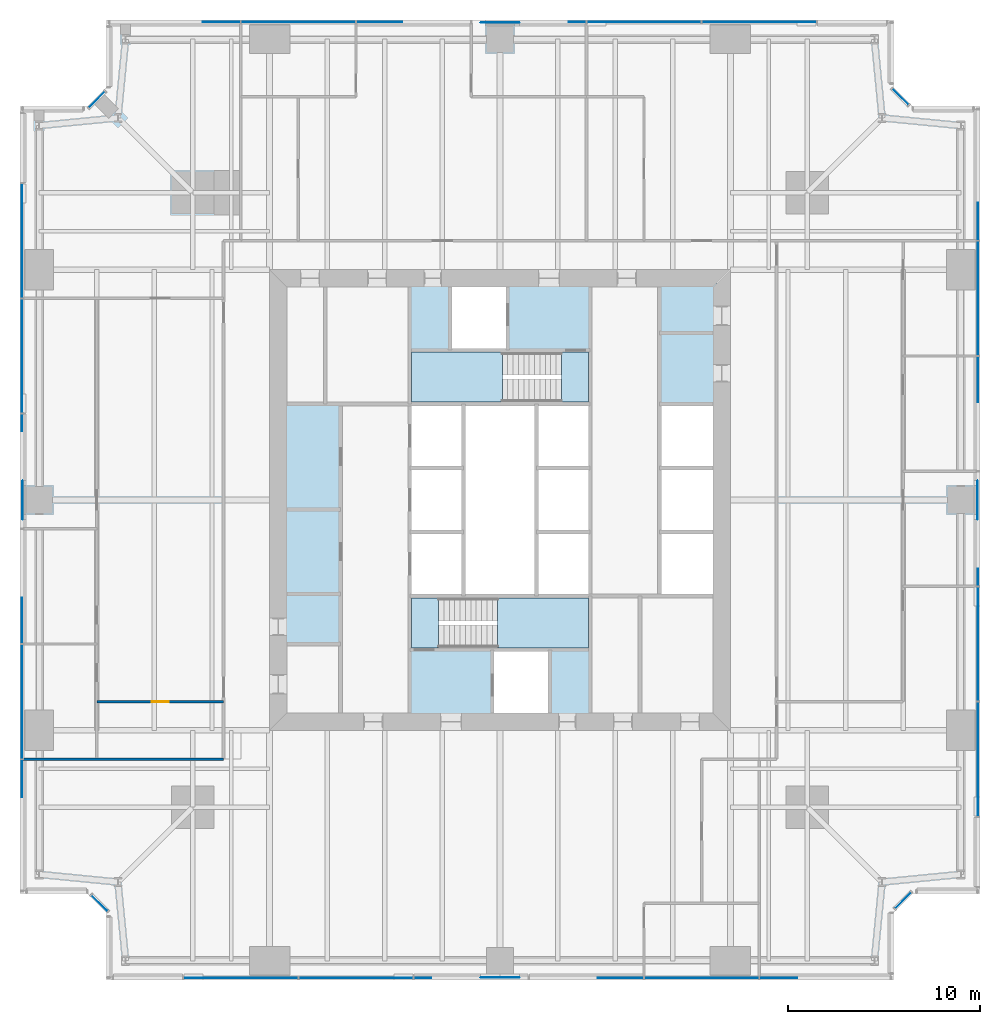
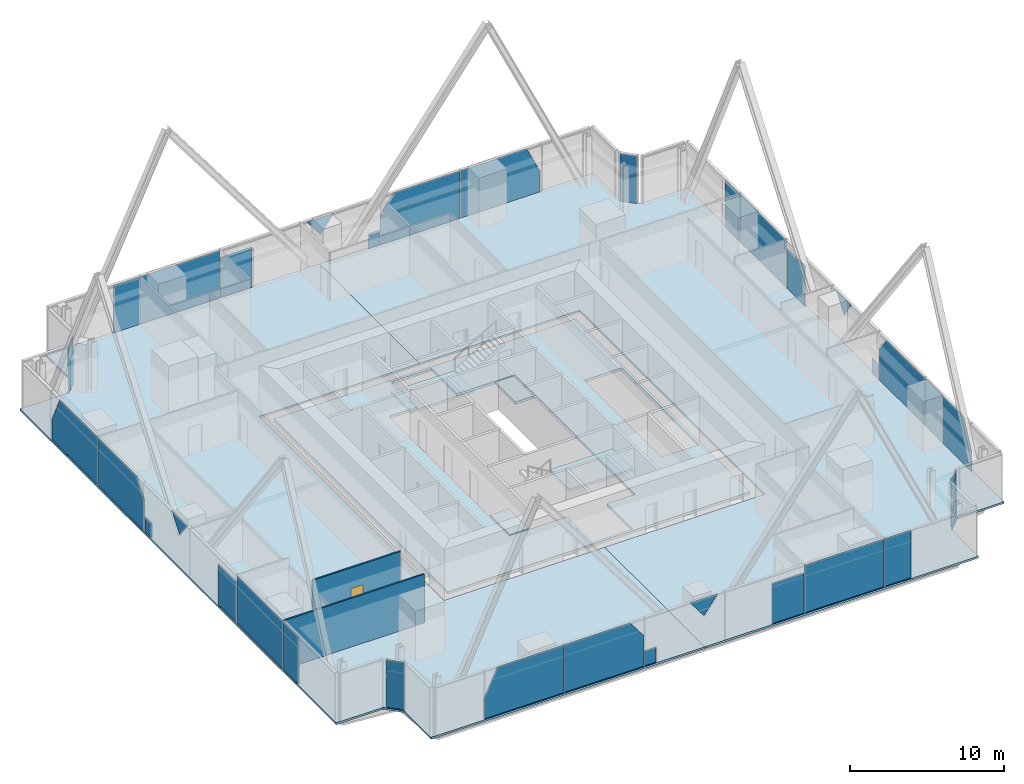
# One storey, part 8 of 13: 32 plates, 7 slabs, 2 walls, 1 door, 1 opening, 10 elements without a shape of their own.
"""IFC4 building model written with IfcOpenShell, lengths in metres."""

from ifc_helpers import new_model, si_unit, direction, frame, frame_2d, origin, origin_2d, place, context, subcontext, project, spatial, polyline, rectangle, outline, extrude, material, layer, layer_set, type_object, element, fill, aggregate, save


model = new_model("IFC4")

# Units and contexts
model_context = context("Model", 3, precision=1e-05, world=origin(), true_north=direction((0.0, 1.0)))
body_context = subcontext(model_context, "Body", "Model", "MODEL_VIEW")
ifc_project = project(units=[si_unit("LENGTHUNIT", "METRE"), si_unit("AREAUNIT", "SQUARE_METRE"), si_unit("VOLUMEUNIT", "CUBIC_METRE"), si_unit("PLANEANGLEUNIT", "RADIAN"), si_unit("MASSUNIT", "GRAM", prefix="KILO")], contexts=[model_context])

# Site, building, storey
site_placement = place(None, origin())
site = spatial("IfcSite", under=ifc_project, at=site_placement, CompositionType="ELEMENT")
building_placement = place(site_placement, origin())
building = spatial("IfcBuilding", under=site, at=building_placement, Name="Fenwick Lantern Interchange", CompositionType="ELEMENT")
storey_placement = place(building_placement, frame((0.0, 0.0, 114.39990234375)))
storey = spatial("IfcBuildingStorey", under=building, at=storey_placement, Name="L26", CompositionType="ELEMENT", Elevation=114.39990234375)

# Slabs
ifc_material_1 = material(Name="Concrete f'c 35 MPa", Category="concrete")
ifc_layer_1 = layer(ifc_material_1, 0.199951171875)
ifc_layer_set_1 = layer_set([ifc_layer_1], Name="CORE FLOOR SLAB 200")
slab_type_1 = type_object("IfcSlabType", Name="CORE FLOOR SLAB 200", PredefinedType="FLOOR", material=ifc_layer_set_1)
slab_1_placement = place(storey_placement, frame((0.0, 0.0, -0.199951171875)))
element("IfcSlab", 1, at=slab_1_placement, inside=storey, type_object=slab_type_1, Name="L26/SLAB/CORE", PredefinedType="FLOOR", context=body_context, shape_type="SweptSolid", body=[
    extrude(outline(polyline([(13.699951171875, 36.300048828125), (36.300048828125, 36.300048828125), (36.300048828125, 13.699951171875), (13.699951171875, 13.699951171875), (13.699951171875, 36.300048828125)]), holes=[polyline([(29.699951171875, 17.199951171875), (29.699951171875, 20.0), (29.699951171875, 23.333251953125), (29.699951171875, 26.666748046875), (29.699951171875, 30.0), (29.699951171875, 32.800048828125), (25.39990234375, 32.800048828125), (25.39990234375, 36.10009765625), (22.39990234375, 36.10009765625), (22.39990234375, 32.800048828125), (20.300048828125, 32.800048828125), (20.300048828125, 30.0), (20.300048828125, 26.666748046875), (20.300048828125, 23.333251953125), (20.300048828125, 20.0), (20.300048828125, 17.199951171875), (24.60009765625, 17.199951171875), (24.60009765625, 13.89990234375), (27.60009765625, 13.89990234375), (27.60009765625, 17.199951171875), (29.699951171875, 17.199951171875)]), polyline([(33.300048828125, 23.333251953125), (33.300048828125, 20.0), (36.10009765625, 20.0), (36.10009765625, 23.333251953125), (36.10009765625, 26.666748046875), (36.10009765625, 30.0), (33.300048828125, 30.0), (33.300048828125, 26.666748046875), (33.300048828125, 23.333251953125)])]), origin(), (0.0, 0.0, 1.0), 0.199951171875),
])
ifc_material_2 = material(Name="Concrete f'c 35 MPa", Category="concrete")
ifc_layer_2 = layer(ifc_material_2, 0.14990234375)
ifc_layer_set_2 = layer_set([ifc_layer_2], Name="Concrete f'c 35 MPa")
slab_type_2 = type_object("IfcSlabType", Name="FLOOR SLAB 150", PredefinedType="FLOOR", material=ifc_layer_set_2)
slab_2_placement = place(storey_placement, frame((0.0, 0.0, -0.14990234375)))
element("IfcSlab", 2, at=slab_2_placement, inside=storey, type_object=slab_type_2, Name="L26/SLAB/FW", PredefinedType="FLOOR", context=body_context, shape_type="SweptSolid", body=[
    extrude(outline(polyline([(4.5, 0.0), (4.5, 3.5), (3.5, 4.5), (0.0, 4.5), (0.0, 45.5), (3.5, 45.5), (4.5, 46.5), (4.5, 50.0), (25.0, 50.0), (25.0, 37.0), (13.0, 37.0), (13.0, 13.0), (25.0, 13.0), (25.0, 0.0), (4.5, 0.0)])), origin(), (0.0, 0.0, 1.0), 0.14990234375),
])
slab_3_placement = place(storey_placement, frame((0.0, 0.0, -0.14990234375)))
element("IfcSlab", 3, at=slab_3_placement, inside=storey, type_object=slab_type_2, Name="L26/SLAB/FE", PredefinedType="FLOOR", context=body_context, shape_type="SweptSolid", body=[
    extrude(outline(polyline([(45.5, 50.0), (45.5, 46.5), (46.5, 45.5), (50.0, 45.5), (50.0, 4.5), (46.5, 4.5), (45.5, 3.5), (45.5, 0.0), (25.0, 0.0), (25.0, 13.0), (37.0, 13.0), (37.0, 37.0), (25.0, 37.0), (25.0, 50.0), (45.5, 50.0)])), origin(), (0.0, 0.0, 1.0), 0.14990234375),
])

# Curtain wall, plates
ifc_material_3 = material(Name="Aluminium curtain wall frame", Category="aluminium")
curtain_wall_type = type_object("IfcCurtainWallType", Name="OFFICE CURTAIN WALL", PredefinedType="USERDEFINED", material=ifc_material_3)
curtain_wall_1_placement = place(storey_placement, origin())
curtain_wall_1 = element("IfcCurtainWall", 4, at=curtain_wall_1_placement, inside=storey, type_object=curtain_wall_type, Name="Office curtain wall 01", ObjectType="OFFICE CURTAIN WALL", PredefinedType="USERDEFINED")
ifc_material_4 = material(Name="Vision glass, clear low-iron double glazed", Category="glass")
ifc_layer_3 = layer(ifc_material_4, 0.031982421875)
ifc_layer_set_3 = layer_set([ifc_layer_3], Name="OFFICE CURTAIN WALL PANEL 32")
plate_type = type_object("IfcPlateType", Name="OFFICE CURTAIN WALL PANEL 32", PredefinedType="CURTAIN_PANEL", material=ifc_layer_set_3)
plate_1_placement = place(storey_placement, frame((4.60009765625, 0.10009765625, 0.0), z_axis=(0.0, 0.0, 1.0), x_axis=(1.0, 0.0, 0.0)))
plate_1 = element("IfcPlate", 5, at=plate_1_placement, type_object=plate_type, Name="L26/CW/01/P01a", PredefinedType="CURTAIN_PANEL", context=body_context, shape_type="SweptSolid", body=[
    extrude(outline(polyline([(3.9326171875, 0.0), (9.867431640625, 0.0), (9.867431640625, 3.75), (4.929931640625, 3.75), (3.9326171875, 1.62255859375), (3.9326171875, 0.0)])), frame((0.0, 0.01611328125, 0.0), z_axis=(0.0, -1.0, 0.0), x_axis=(1.0, 0.0, 0.0)), (0.0, 0.0, 1.0), 0.031982421875),
])
plate_2_placement = place(storey_placement, frame((4.60009765625, 0.10009765625, 0.0), z_axis=(0.0, 0.0, 1.0), x_axis=(1.0, 0.0, 0.0)))
plate_2 = element("IfcPlate", 6, at=plate_2_placement, type_object=plate_type, Name="L26/CW/01/P02a", PredefinedType="CURTAIN_PANEL", context=body_context, shape_type="SweptSolid", body=[
    extrude(outline(polyline([(9.9326171875, 0.0), (15.867431640625, 0.0), (15.867431640625, 2.4375), (14.883056640625, 3.75), (9.9326171875, 3.75), (9.9326171875, 0.0)])), frame((0.0, 0.01611328125, 0.0), z_axis=(0.0, -1.0, 0.0), x_axis=(1.0, 0.0, 0.0)), (0.0, 0.0, 1.0), 0.031982421875),
])
plate_3_placement = place(storey_placement, frame((4.60009765625, 0.10009765625, 0.0), z_axis=(0.0, 0.0, 1.0), x_axis=(1.0, 0.0, 0.0)))
plate_3 = element("IfcPlate", 7, at=plate_3_placement, type_object=plate_type, Name="L26/CW/01/P03a", PredefinedType="CURTAIN_PANEL", context=body_context, shape_type="SweptSolid", body=[
    extrude(outline(polyline([(15.9326171875, 0.0), (16.8125, 0.0), (16.8125, 1.177490234375), (15.9326171875, 1.177490234375), (15.9326171875, 0.0)])), frame((0.0, 0.01611328125, 0.0), z_axis=(0.0, -1.0, 0.0), x_axis=(1.0, 0.0, 0.0)), (0.0, 0.0, 1.0), 0.031982421875),
])
plate_4_placement = place(storey_placement, frame((4.60009765625, 0.10009765625, 2.39404296875), z_axis=(0.0, 0.0, 1.0), x_axis=(1.0, 0.0, 0.0)))
plate_4 = element("IfcPlate", 8, at=plate_4_placement, type_object=plate_type, Name="L26/CW/01/P03b", PredefinedType="CURTAIN_PANEL", context=body_context, shape_type="SweptSolid", body=[
    extrude(outline(polyline([(20.39990234375, 0.0), (21.4169921875, 1.35595703125), (19.383056640625, 1.35595703125), (20.39990234375, 0.0)])), frame((0.0, 0.0498046875, 0.0), z_axis=(0.0, -1.0, 0.0), x_axis=(1.0, 0.0, 0.0)), (0.0, 0.0, 1.0), 0.031982421875),
])
plate_5_placement = place(storey_placement, frame((4.60009765625, 0.10009765625, 0.0), z_axis=(0.0, 0.0, 1.0), x_axis=(1.0, 0.0, 0.0)))
plate_5 = element("IfcPlate", 9, at=plate_5_placement, type_object=plate_type, Name="L26/CW/01/P04a", PredefinedType="CURTAIN_PANEL", context=body_context, shape_type="SweptSolid", body=[
    extrude(outline(polyline([(25.484619140625, 0.0), (27.867431640625, 0.0), (27.867431640625, 3.17333984375), (25.484619140625, 3.17333984375), (25.484619140625, 0.0)])), frame((0.0, 0.01611328125, 0.0), z_axis=(0.0, -1.0, 0.0), x_axis=(1.0, 0.0, 0.0)), (0.0, 0.0, 1.0), 0.031982421875),
])
plate_6_placement = place(storey_placement, frame((35.5, 0.10009765625, 0.0), z_axis=(0.0, 0.0, 1.0), x_axis=(1.0, 0.0, 0.0)))
plate_6 = element("IfcPlate", 10, at=plate_6_placement, type_object=plate_type, Name="L26/CW/01/P05", PredefinedType="CURTAIN_PANEL", context=body_context, shape_type="SweptSolid", body=[
    extrude(rectangle(XDim=5.93505859375, YDim=0.031982421875, at=origin_2d()), origin(), (0.0, 0.0, 1.0), 3.75),
])
plate_7_placement = place(storey_placement, frame((4.60009765625, 0.10009765625, 0.0), z_axis=(0.0, 0.0, 1.0), x_axis=(1.0, 0.0, 0.0)))
plate_7 = element("IfcPlate", 11, at=plate_7_placement, type_object=plate_type, Name="L26/CW/01/P06a", PredefinedType="CURTAIN_PANEL", context=body_context, shape_type="SweptSolid", body=[
    extrude(outline(polyline([(33.9326171875, 0.0), (35.87255859375, 0.0), (35.87255859375, 3.7451171875), (33.9326171875, 3.7451171875), (33.9326171875, 0.0)])), frame((0.0, 0.01611328125, 0.0), z_axis=(0.0, -1.0, 0.0), x_axis=(1.0, 0.0, 0.0)), (0.0, 0.0, 1.0), 0.031982421875),
])
aggregate(curtain_wall_1, [plate_1, plate_2, plate_3, plate_4, plate_5, plate_6, plate_7])

# Curtain wall, plate
curtain_wall_2_placement = place(storey_placement, origin())
curtain_wall_2 = element("IfcCurtainWall", 12, at=curtain_wall_2_placement, inside=storey, type_object=curtain_wall_type, Name="Office curtain wall 03", ObjectType="OFFICE CURTAIN WALL", PredefinedType="USERDEFINED")
plate_8_placement = place(storey_placement, frame((46.0, 4.141357421875, 0.0), z_axis=(0.0, 0.0, 1.0), x_axis=(0.707106781187, 0.707106781187, 0.0)))
plate_8 = element("IfcPlate", 13, at=plate_8_placement, type_object=plate_type, Name="L26/CW/03/P00", PredefinedType="CURTAIN_PANEL", context=body_context, shape_type="SweptSolid", body=[
    extrude(rectangle(XDim=1.1669921875, YDim=0.031982421875, at=origin_2d()), origin(), (0.0, 0.0, 1.0), 3.75),
])
aggregate(curtain_wall_2, [plate_8])

# Curtain wall, plates
curtain_wall_3_placement = place(storey_placement, origin())
curtain_wall_3 = element("IfcCurtainWall", 14, at=curtain_wall_3_placement, inside=storey, type_object=curtain_wall_type, Name="Office curtain wall 05", ObjectType="OFFICE CURTAIN WALL", PredefinedType="USERDEFINED")
plate_9_placement = place(storey_placement, frame((49.89990234375, 4.60009765625, 0.0), z_axis=(0.0, 0.0, 1.0), x_axis=(0.0, 1.0, 0.0)))
plate_9 = element("IfcPlate", 15, at=plate_9_placement, type_object=plate_type, Name="L26/CW/05/P01a", PredefinedType="CURTAIN_PANEL", context=body_context, shape_type="SweptSolid", body=[
    extrude(outline(polyline([(3.9326171875, 0.0), (9.867431640625, 0.0), (9.867431640625, 3.75), (4.929931640625, 3.75), (3.9326171875, 1.62255859375), (3.9326171875, 0.0)])), frame((0.0, 0.01611328125, 0.0), z_axis=(0.0, -1.0, 0.0), x_axis=(1.0, 0.0, 0.0)), (0.0, 0.0, 1.0), 0.031982421875),
])
plate_10_placement = place(storey_placement, frame((49.89990234375, 4.60009765625, 0.0), z_axis=(0.0, 0.0, 1.0), x_axis=(0.0, 1.0, 0.0)))
plate_10 = element("IfcPlate", 16, at=plate_10_placement, type_object=plate_type, Name="L26/CW/05/P02a", PredefinedType="CURTAIN_PANEL", context=body_context, shape_type="SweptSolid", body=[
    extrude(outline(polyline([(9.9326171875, 0.0), (15.867431640625, 0.0), (15.867431640625, 2.4375), (14.883056640625, 3.75), (9.9326171875, 3.75), (9.9326171875, 0.0)])), frame((0.0, 0.01611328125, 0.0), z_axis=(0.0, -1.0, 0.0), x_axis=(1.0, 0.0, 0.0)), (0.0, 0.0, 1.0), 0.031982421875),
])
plate_11_placement = place(storey_placement, frame((49.89990234375, 4.60009765625, 0.0), z_axis=(0.0, 0.0, 1.0), x_axis=(0.0, 1.0, 0.0)))
plate_11 = element("IfcPlate", 17, at=plate_11_placement, type_object=plate_type, Name="L26/CW/05/P03a", PredefinedType="CURTAIN_PANEL", context=body_context, shape_type="SweptSolid", body=[
    extrude(outline(polyline([(15.9326171875, 0.0), (16.8125, 0.0), (16.8125, 1.177490234375), (15.9326171875, 1.177490234375), (15.9326171875, 0.0)])), frame((0.0, 0.01611328125, 0.0), z_axis=(0.0, -1.0, 0.0), x_axis=(1.0, 0.0, 0.0)), (0.0, 0.0, 1.0), 0.031982421875),
])
plate_12_placement = place(storey_placement, frame((49.89990234375, 4.60009765625, 2.39404296875), z_axis=(0.0, 0.0, 1.0), x_axis=(0.0, 1.0, 0.0)))
plate_12 = element("IfcPlate", 18, at=plate_12_placement, type_object=plate_type, Name="L26/CW/05/P03b", PredefinedType="CURTAIN_PANEL", context=body_context, shape_type="SweptSolid", body=[
    extrude(outline(polyline([(20.39990234375, 0.0), (21.4169921875, 1.35595703125), (19.383056640625, 1.35595703125), (20.39990234375, 0.0)])), frame((0.0, 0.0498046875, 0.0), z_axis=(0.0, -1.0, 0.0), x_axis=(1.0, 0.0, 0.0)), (0.0, 0.0, 1.0), 0.031982421875),
])
plate_13_placement = place(storey_placement, frame((49.89990234375, 4.60009765625, 0.0), z_axis=(0.0, 0.0, 1.0), x_axis=(0.0, 1.0, 0.0)))
plate_13 = element("IfcPlate", 19, at=plate_13_placement, type_object=plate_type, Name="L26/CW/05/P04a", PredefinedType="CURTAIN_PANEL", context=body_context, shape_type="SweptSolid", body=[
    extrude(outline(polyline([(25.484619140625, 0.0), (27.867431640625, 0.0), (27.867431640625, 3.17333984375), (25.484619140625, 3.17333984375), (25.484619140625, 0.0)])), frame((0.0, 0.01611328125, 0.0), z_axis=(0.0, -1.0, 0.0), x_axis=(1.0, 0.0, 0.0)), (0.0, 0.0, 1.0), 0.031982421875),
])
plate_14_placement = place(storey_placement, frame((49.89990234375, 35.5, 0.0), z_axis=(0.0, 0.0, 1.0), x_axis=(0.0, 1.0, 0.0)))
plate_14 = element("IfcPlate", 20, at=plate_14_placement, type_object=plate_type, Name="L26/CW/05/P05", PredefinedType="CURTAIN_PANEL", context=body_context, shape_type="SweptSolid", body=[
    extrude(rectangle(XDim=5.93505859375, YDim=0.031982421875, at=origin_2d()), origin(), (0.0, 0.0, 1.0), 3.75),
])
plate_15_placement = place(storey_placement, frame((49.89990234375, 4.60009765625, 0.0), z_axis=(0.0, 0.0, 1.0), x_axis=(0.0, 1.0, 0.0)))
plate_15 = element("IfcPlate", 21, at=plate_15_placement, type_object=plate_type, Name="L26/CW/05/P06a", PredefinedType="CURTAIN_PANEL", context=body_context, shape_type="SweptSolid", body=[
    extrude(outline(polyline([(33.9326171875, 0.0), (35.87255859375, 0.0), (35.87255859375, 3.7451171875), (33.9326171875, 3.7451171875), (33.9326171875, 0.0)])), frame((0.0, 0.01611328125, 0.0), z_axis=(0.0, -1.0, 0.0), x_axis=(1.0, 0.0, 0.0)), (0.0, 0.0, 1.0), 0.031982421875),
])
aggregate(curtain_wall_3, [plate_9, plate_10, plate_11, plate_12, plate_13, plate_14, plate_15])

# Curtain wall, plate
curtain_wall_4_placement = place(storey_placement, origin())
curtain_wall_4 = element("IfcCurtainWall", 22, at=curtain_wall_4_placement, inside=storey, type_object=curtain_wall_type, Name="Office curtain wall 07", ObjectType="OFFICE CURTAIN WALL", PredefinedType="USERDEFINED")
plate_16_placement = place(storey_placement, frame((45.858642578125, 46.0, 0.0), z_axis=(0.0, 0.0, 1.0), x_axis=(-0.707106781187, 0.707106781187, 0.0)))
plate_16 = element("IfcPlate", 23, at=plate_16_placement, type_object=plate_type, Name="L26/CW/07/P00", PredefinedType="CURTAIN_PANEL", context=body_context, shape_type="SweptSolid", body=[
    extrude(rectangle(XDim=1.1669921875, YDim=0.031982421875, at=origin_2d()), origin(), (0.0, 0.0, 1.0), 3.75),
])
aggregate(curtain_wall_4, [plate_16])

# Curtain wall, plates
curtain_wall_5_placement = place(storey_placement, origin())
curtain_wall_5 = element("IfcCurtainWall", 24, at=curtain_wall_5_placement, inside=storey, type_object=curtain_wall_type, Name="Office curtain wall 09", ObjectType="OFFICE CURTAIN WALL", PredefinedType="USERDEFINED")
plate_17_placement = place(storey_placement, frame((45.39990234375, 49.89990234375, 0.0), z_axis=(0.0, 0.0, 1.0), x_axis=(-1.0, 0.0, 0.0)))
plate_17 = element("IfcPlate", 25, at=plate_17_placement, type_object=plate_type, Name="L26/CW/09/P01a", PredefinedType="CURTAIN_PANEL", context=body_context, shape_type="SweptSolid", body=[
    extrude(outline(polyline([(3.9326171875, 0.0), (9.867431640625, 0.0), (9.867431640625, 3.75), (4.929931640625, 3.75), (3.9326171875, 1.62255859375), (3.9326171875, 0.0)])), frame((0.0, 0.01611328125, 0.0), z_axis=(0.0, -1.0, 0.0), x_axis=(1.0, 0.0, 0.0)), (0.0, 0.0, 1.0), 0.031982421875),
])
plate_18_placement = place(storey_placement, frame((45.39990234375, 49.89990234375, 0.0), z_axis=(0.0, 0.0, 1.0), x_axis=(-1.0, 0.0, 0.0)))
plate_18 = element("IfcPlate", 26, at=plate_18_placement, type_object=plate_type, Name="L26/CW/09/P02a", PredefinedType="CURTAIN_PANEL", context=body_context, shape_type="SweptSolid", body=[
    extrude(outline(polyline([(9.9326171875, 0.0), (15.867431640625, 0.0), (15.867431640625, 2.4375), (14.883056640625, 3.75), (9.9326171875, 3.75), (9.9326171875, 0.0)])), frame((0.0, 0.01611328125, 0.0), z_axis=(0.0, -1.0, 0.0), x_axis=(1.0, 0.0, 0.0)), (0.0, 0.0, 1.0), 0.031982421875),
])
plate_19_placement = place(storey_placement, frame((45.39990234375, 49.89990234375, 0.0), z_axis=(0.0, 0.0, 1.0), x_axis=(-1.0, 0.0, 0.0)))
plate_19 = element("IfcPlate", 27, at=plate_19_placement, type_object=plate_type, Name="L26/CW/09/P03a", PredefinedType="CURTAIN_PANEL", context=body_context, shape_type="SweptSolid", body=[
    extrude(outline(polyline([(15.9326171875, 0.0), (16.8125, 0.0), (16.8125, 1.177490234375), (15.9326171875, 1.177490234375), (15.9326171875, 0.0)])), frame((0.0, 0.01611328125, 0.0), z_axis=(0.0, -1.0, 0.0), x_axis=(1.0, 0.0, 0.0)), (0.0, 0.0, 1.0), 0.031982421875),
])
plate_20_placement = place(storey_placement, frame((45.39990234375, 49.89990234375, 2.39404296875), z_axis=(0.0, 0.0, 1.0), x_axis=(-1.0, 0.0, 0.0)))
plate_20 = element("IfcPlate", 28, at=plate_20_placement, type_object=plate_type, Name="L26/CW/09/P03b", PredefinedType="CURTAIN_PANEL", context=body_context, shape_type="SweptSolid", body=[
    extrude(outline(polyline([(20.39990234375, 0.0), (21.4169921875, 1.35595703125), (19.383056640625, 1.35595703125), (20.39990234375, 0.0)])), frame((0.0, 0.0498046875, 0.0), z_axis=(0.0, -1.0, 0.0), x_axis=(1.0, 0.0, 0.0)), (0.0, 0.0, 1.0), 0.031982421875),
])
plate_21_placement = place(storey_placement, frame((45.39990234375, 49.89990234375, 0.0), z_axis=(0.0, 0.0, 1.0), x_axis=(-1.0, 0.0, 0.0)))
plate_21 = element("IfcPlate", 29, at=plate_21_placement, type_object=plate_type, Name="L26/CW/09/P04a", PredefinedType="CURTAIN_PANEL", context=body_context, shape_type="SweptSolid", body=[
    extrude(outline(polyline([(25.484619140625, 0.0), (27.867431640625, 0.0), (27.867431640625, 3.17333984375), (25.484619140625, 3.17333984375), (25.484619140625, 0.0)])), frame((0.0, 0.01611328125, 0.0), z_axis=(0.0, -1.0, 0.0), x_axis=(1.0, 0.0, 0.0)), (0.0, 0.0, 1.0), 0.031982421875),
])
plate_22_placement = place(storey_placement, frame((14.5, 49.89990234375, 0.0), z_axis=(0.0, 0.0, 1.0), x_axis=(-1.0, 0.0, 0.0)))
plate_22 = element("IfcPlate", 30, at=plate_22_placement, type_object=plate_type, Name="L26/CW/09/P05", PredefinedType="CURTAIN_PANEL", context=body_context, shape_type="SweptSolid", body=[
    extrude(rectangle(XDim=5.93505859375, YDim=0.031982421875, at=origin_2d()), origin(), (0.0, 0.0, 1.0), 3.75),
])
plate_23_placement = place(storey_placement, frame((45.39990234375, 49.89990234375, 0.0), z_axis=(0.0, 0.0, 1.0), x_axis=(-1.0, 0.0, 0.0)))
plate_23 = element("IfcPlate", 31, at=plate_23_placement, type_object=plate_type, Name="L26/CW/09/P06a", PredefinedType="CURTAIN_PANEL", context=body_context, shape_type="SweptSolid", body=[
    extrude(outline(polyline([(33.9326171875, 0.0), (35.87255859375, 0.0), (35.87255859375, 3.7451171875), (33.9326171875, 3.7451171875), (33.9326171875, 0.0)])), frame((0.0, 0.01611328125, 0.0), z_axis=(0.0, -1.0, 0.0), x_axis=(1.0, 0.0, 0.0)), (0.0, 0.0, 1.0), 0.031982421875),
])
aggregate(curtain_wall_5, [plate_17, plate_18, plate_19, plate_20, plate_21, plate_22, plate_23])

# Curtain wall, plate
curtain_wall_6_placement = place(storey_placement, origin())
curtain_wall_6 = element("IfcCurtainWall", 32, at=curtain_wall_6_placement, inside=storey, type_object=curtain_wall_type, Name="Office curtain wall 11", ObjectType="OFFICE CURTAIN WALL", PredefinedType="USERDEFINED")
plate_24_placement = place(storey_placement, frame((4.0, 45.858642578125, 0.0), z_axis=(0.0, 0.0, 1.0), x_axis=(-0.707106781187, -0.707106781187, 0.0)))
plate_24 = element("IfcPlate", 33, at=plate_24_placement, type_object=plate_type, Name="L26/CW/11/P00", PredefinedType="CURTAIN_PANEL", context=body_context, shape_type="SweptSolid", body=[
    extrude(rectangle(XDim=1.1669921875, YDim=0.031982421875, at=origin_2d()), origin(), (0.0, 0.0, 1.0), 3.75),
])
aggregate(curtain_wall_6, [plate_24])

# Curtain wall, plates
curtain_wall_7_placement = place(storey_placement, origin())
curtain_wall_7 = element("IfcCurtainWall", 34, at=curtain_wall_7_placement, inside=storey, type_object=curtain_wall_type, Name="Office curtain wall 13", ObjectType="OFFICE CURTAIN WALL", PredefinedType="USERDEFINED")
plate_25_placement = place(storey_placement, frame((0.10009765625, 45.39990234375, 0.0), z_axis=(0.0, 0.0, 1.0), x_axis=(0.0, -1.0, 0.0)))
plate_25 = element("IfcPlate", 35, at=plate_25_placement, type_object=plate_type, Name="L26/CW/13/P01a", PredefinedType="CURTAIN_PANEL", context=body_context, shape_type="SweptSolid", body=[
    extrude(outline(polyline([(3.9326171875, 0.0), (9.867431640625, 0.0), (9.867431640625, 3.75), (4.929931640625, 3.75), (3.9326171875, 1.62255859375), (3.9326171875, 0.0)])), frame((0.0, 0.01611328125, 0.0), z_axis=(0.0, -1.0, 0.0), x_axis=(1.0, 0.0, 0.0)), (0.0, 0.0, 1.0), 0.031982421875),
])
plate_26_placement = place(storey_placement, frame((0.10009765625, 45.39990234375, 0.0), z_axis=(0.0, 0.0, 1.0), x_axis=(0.0, -1.0, 0.0)))
plate_26 = element("IfcPlate", 36, at=plate_26_placement, type_object=plate_type, Name="L26/CW/13/P02a", PredefinedType="CURTAIN_PANEL", context=body_context, shape_type="SweptSolid", body=[
    extrude(outline(polyline([(9.9326171875, 0.0), (15.867431640625, 0.0), (15.867431640625, 2.4375), (14.883056640625, 3.75), (9.9326171875, 3.75), (9.9326171875, 0.0)])), frame((0.0, 0.01611328125, 0.0), z_axis=(0.0, -1.0, 0.0), x_axis=(1.0, 0.0, 0.0)), (0.0, 0.0, 1.0), 0.031982421875),
])
plate_27_placement = place(storey_placement, frame((0.10009765625, 45.39990234375, 0.0), z_axis=(0.0, 0.0, 1.0), x_axis=(0.0, -1.0, 0.0)))
plate_27 = element("IfcPlate", 37, at=plate_27_placement, type_object=plate_type, Name="L26/CW/13/P03a", PredefinedType="CURTAIN_PANEL", context=body_context, shape_type="SweptSolid", body=[
    extrude(outline(polyline([(15.9326171875, 0.0), (16.8125, 0.0), (16.8125, 1.177490234375), (15.9326171875, 1.177490234375), (15.9326171875, 0.0)])), frame((0.0, 0.01611328125, 0.0), z_axis=(0.0, -1.0, 0.0), x_axis=(1.0, 0.0, 0.0)), (0.0, 0.0, 1.0), 0.031982421875),
])
plate_28_placement = place(storey_placement, frame((0.10009765625, 45.39990234375, 2.39404296875), z_axis=(0.0, 0.0, 1.0), x_axis=(0.0, -1.0, 0.0)))
plate_28 = element("IfcPlate", 38, at=plate_28_placement, type_object=plate_type, Name="L26/CW/13/P03b", PredefinedType="CURTAIN_PANEL", context=body_context, shape_type="SweptSolid", body=[
    extrude(outline(polyline([(20.39990234375, 0.0), (21.4169921875, 1.35595703125), (19.383056640625, 1.35595703125), (20.39990234375, 0.0)])), frame((0.0, 0.0498046875, 0.0), z_axis=(0.0, -1.0, 0.0), x_axis=(1.0, 0.0, 0.0)), (0.0, 0.0, 1.0), 0.031982421875),
])
plate_29_placement = place(storey_placement, frame((0.10009765625, 45.39990234375, 0.0), z_axis=(0.0, 0.0, 1.0), x_axis=(0.0, -1.0, 0.0)))
plate_29 = element("IfcPlate", 39, at=plate_29_placement, type_object=plate_type, Name="L26/CW/13/P04a", PredefinedType="CURTAIN_PANEL", context=body_context, shape_type="SweptSolid", body=[
    extrude(outline(polyline([(25.484619140625, 0.0), (27.867431640625, 0.0), (27.867431640625, 3.17333984375), (25.484619140625, 3.17333984375), (25.484619140625, 0.0)])), frame((0.0, 0.01611328125, 0.0), z_axis=(0.0, -1.0, 0.0), x_axis=(1.0, 0.0, 0.0)), (0.0, 0.0, 1.0), 0.031982421875),
])
plate_30_placement = place(storey_placement, frame((0.10009765625, 14.5, 0.0), z_axis=(0.0, 0.0, 1.0), x_axis=(0.0, -1.0, 0.0)))
plate_30 = element("IfcPlate", 40, at=plate_30_placement, type_object=plate_type, Name="L26/CW/13/P05", PredefinedType="CURTAIN_PANEL", context=body_context, shape_type="SweptSolid", body=[
    extrude(rectangle(XDim=5.93505859375, YDim=0.031982421875, at=origin_2d()), origin(), (0.0, 0.0, 1.0), 3.75),
])
plate_31_placement = place(storey_placement, frame((0.10009765625, 45.39990234375, 0.0), z_axis=(0.0, 0.0, 1.0), x_axis=(0.0, -1.0, 0.0)))
plate_31 = element("IfcPlate", 41, at=plate_31_placement, type_object=plate_type, Name="L26/CW/13/P06a", PredefinedType="CURTAIN_PANEL", context=body_context, shape_type="SweptSolid", body=[
    extrude(outline(polyline([(33.9326171875, 0.0), (35.87255859375, 0.0), (35.87255859375, 3.7451171875), (33.9326171875, 3.7451171875), (33.9326171875, 0.0)])), frame((0.0, 0.01611328125, 0.0), z_axis=(0.0, -1.0, 0.0), x_axis=(1.0, 0.0, 0.0)), (0.0, 0.0, 1.0), 0.031982421875),
])
aggregate(curtain_wall_7, [plate_25, plate_26, plate_27, plate_28, plate_29, plate_30, plate_31])

# Curtain wall, plate
curtain_wall_8_placement = place(storey_placement, origin())
curtain_wall_8 = element("IfcCurtainWall", 42, at=curtain_wall_8_placement, inside=storey, type_object=curtain_wall_type, Name="Office curtain wall 15", ObjectType="OFFICE CURTAIN WALL", PredefinedType="USERDEFINED")
plate_32_placement = place(storey_placement, frame((4.141357421875, 4.0, 0.0), z_axis=(0.0, 0.0, 1.0), x_axis=(0.707106781187, -0.707106781187, 0.0)))
plate_32 = element("IfcPlate", 43, at=plate_32_placement, type_object=plate_type, Name="L26/CW/15/P00", PredefinedType="CURTAIN_PANEL", context=body_context, shape_type="SweptSolid", body=[
    extrude(rectangle(XDim=1.1669921875, YDim=0.031982421875, at=origin_2d()), origin(), (0.0, 0.0, 1.0), 3.75),
])
aggregate(curtain_wall_8, [plate_32])

# Stair, slabs
ifc_material_5 = material(Name="Precast concrete f'c 35 MPa", Category="concrete")
stair_type = type_object("IfcStairType", Name="EXIT STAIR 1200", PredefinedType="HALF_TURN_STAIR", material=ifc_material_5)
stair_1_placement = place(storey_placement, origin())
stair_1 = element("IfcStair", 44, at=stair_1_placement, inside=storey, type_object=stair_type, Name="Exit stair ST1", PredefinedType="HALF_TURN_STAIR")
ifc_layer_4 = layer(ifc_material_1, 0.199951171875)
ifc_layer_set_4 = layer_set([ifc_layer_4], Name="STAIR LANDING 200")
slab_type_3 = type_object("IfcSlabType", Name="STAIR LANDING 200", PredefinedType="LANDING", material=ifc_layer_set_4)
slab_4_placement = place(storey_placement, frame((0.0, 0.0, 1.800048828125)))
slab_4 = element("IfcSlab", 45, at=slab_4_placement, type_object=slab_type_3, Name="ST1 landing 1", PredefinedType="LANDING", context=body_context, shape_type="SweptSolid", body=[
    extrude(outline(polyline([(24.8798828125, 17.300048828125), (29.60009765625, 17.300048828125), (29.60009765625, 19.89990234375), (24.8798828125, 19.89990234375), (24.8798828125, 17.300048828125)])), origin(), (0.0, 0.0, 1.0), 0.199951171875),
])
slab_5_placement = place(storey_placement, frame((0.0, 0.0, -0.199951171875)))
slab_5 = element("IfcSlab", 46, at=slab_5_placement, type_object=slab_type_3, Name="ST1 landing 2", PredefinedType="LANDING", context=body_context, shape_type="SweptSolid", body=[
    extrude(outline(polyline([(20.39990234375, 17.300048828125), (21.800048828125, 17.300048828125), (21.800048828125, 19.89990234375), (20.39990234375, 19.89990234375), (20.39990234375, 17.300048828125)])), origin(), (0.0, 0.0, 1.0), 0.199951171875),
])
aggregate(stair_1, [slab_4, slab_5])

stair_2_placement = place(storey_placement, origin())
stair_2 = element("IfcStair", 47, at=stair_2_placement, inside=storey, type_object=stair_type, Name="Exit stair ST2", PredefinedType="HALF_TURN_STAIR")
slab_6_placement = place(storey_placement, frame((0.0, 0.0, 1.800048828125)))
slab_6 = element("IfcSlab", 48, at=slab_6_placement, type_object=slab_type_3, Name="ST2 landing 1", PredefinedType="LANDING", context=body_context, shape_type="SweptSolid", body=[
    extrude(outline(polyline([(25.1201171875, 32.699951171875), (20.39990234375, 32.699951171875), (20.39990234375, 30.10009765625), (25.1201171875, 30.10009765625), (25.1201171875, 32.699951171875)])), origin(), (0.0, 0.0, 1.0), 0.199951171875),
])
slab_7_placement = place(storey_placement, frame((0.0, 0.0, -0.199951171875)))
slab_7 = element("IfcSlab", 49, at=slab_7_placement, type_object=slab_type_3, Name="ST2 landing 2", PredefinedType="LANDING", context=body_context, shape_type="SweptSolid", body=[
    extrude(outline(polyline([(29.60009765625, 32.699951171875), (28.199951171875, 32.699951171875), (28.199951171875, 30.10009765625), (29.60009765625, 30.10009765625), (29.60009765625, 32.699951171875)])), origin(), (0.0, 0.0, 1.0), 0.199951171875),
])
aggregate(stair_2, [slab_6, slab_7])

# Wall
ifc_material_6 = material(Name="Gypsum board on steel studs, acoustic", Category="steel")
ifc_layer_5 = layer(ifc_material_6, 0.125)
ifc_layer_set_5 = layer_set([ifc_layer_5], Name="OFFICE PARTITION 125")
wall_type = type_object("IfcWallType", Name="OFFICE PARTITION 125", PredefinedType="PARTITIONING", material=ifc_layer_set_5)
wall_1_placement = place(storey_placement, frame((0.14990234375, 11.5, 0.0), z_axis=(0.0, 0.0, 1.0), x_axis=(1.0, 0.0, 0.0)))
element("IfcWall", 50, at=wall_1_placement, inside=storey, type_object=wall_type, Name="L26/W/OFF/S/BACK", PredefinedType="PARTITIONING", context=body_context, shape_type="SweptSolid", body=[
    extrude(rectangle(XDim=10.4501953125, YDim=0.125, at=frame_2d((5.22509765625, 0.0))), origin(), (0.0, 0.0, 1.0), 3.85009765625),
])

# Wall, opening, door
wall_2_placement = place(storey_placement, frame((4.0, 14.5, 0.0), z_axis=(0.0, 0.0, 1.0), x_axis=(1.0, 0.0, 0.0)))
wall_2 = element("IfcWall", 51, at=wall_2_placement, inside=storey, type_object=wall_type, Name="L26/W/OFF/W/X355-1", PredefinedType="PARTITIONING", context=body_context, shape_type="SweptSolid", body=[
    extrude(rectangle(XDim=6.60009765625, YDim=0.125, at=frame_2d((3.300048828125, 0.0))), origin(), (0.0, 0.0, 1.0), 3.85009765625),
])
opening_placement = place(wall_2_placement, frame((2.85009765625, 0.0, 0.0)))
opening = element("IfcOpeningElement", 52, at=opening_placement, cuts=wall_2, Name="Opening L26-D040", PredefinedType="OPENING", context=body_context, shape_type="SweptSolid", body=[
    extrude(rectangle(XDim=0.89990234375, YDim=2.199951171875, at=frame_2d((0.449951171875, 1.10009765625))), frame((0.0, 0.072509765625, 0.0), z_axis=(0.0, -1.0, 0.0), x_axis=(1.0, 0.0, 0.0)), (0.0, 0.0, 1.0), 0.14501953125),
])
ifc_material_7 = material(Name="Hardwood door and steel frame", Category="steel")
door_type = type_object("IfcDoorType", Name="OFFICE DOOR 900 X 2200", OperationType="SINGLE_SWING_LEFT", PredefinedType="DOOR", material=ifc_material_7)
door_placement = place(opening_placement, frame((0.89990234375, 0.0, 0.0), z_axis=(0.0, 0.0, 1.0), x_axis=(-1.0, 0.0, 0.0)))
door = element("IfcDoor", 53, at=door_placement, inside=storey, type_object=door_type, Name="Office door", OperationType="SINGLE_SWING_RIGHT", OverallHeight=2.199951171875, OverallWidth=0.89990234375, PredefinedType="DOOR", context=body_context, shape_type="SweptSolid", body=[
    extrude(rectangle(XDim=0.89990234375, YDim=2.199951171875, at=frame_2d((0.449951171875, 1.10009765625))), frame((0.0, 0.02490234375, 0.0), z_axis=(0.0, -1.0, 0.0), x_axis=(1.0, 0.0, 0.0)), (0.0, 0.0, 1.0), 0.050048828125),
])
fill(opening, door)

save(model, "model.ifc")
